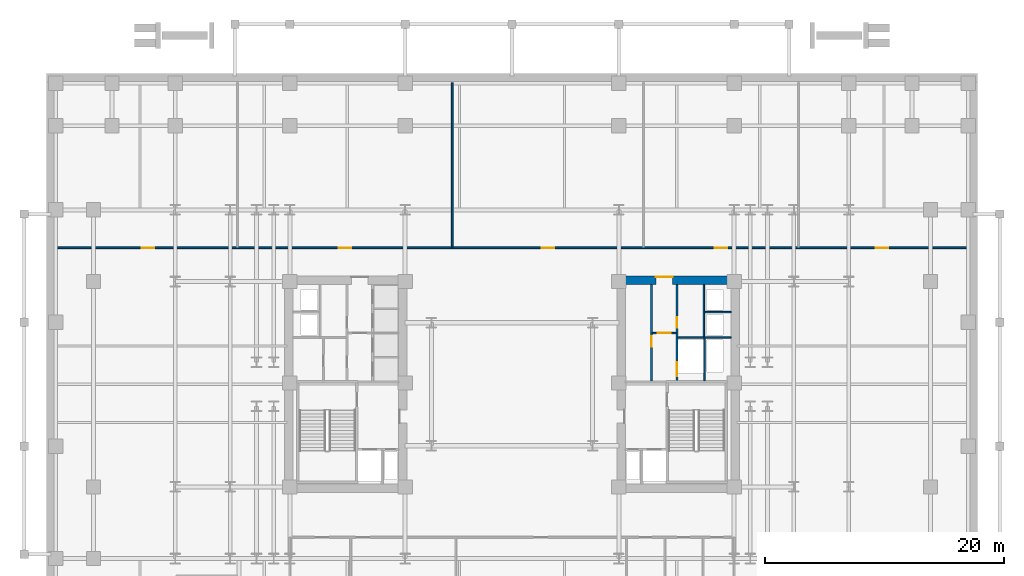
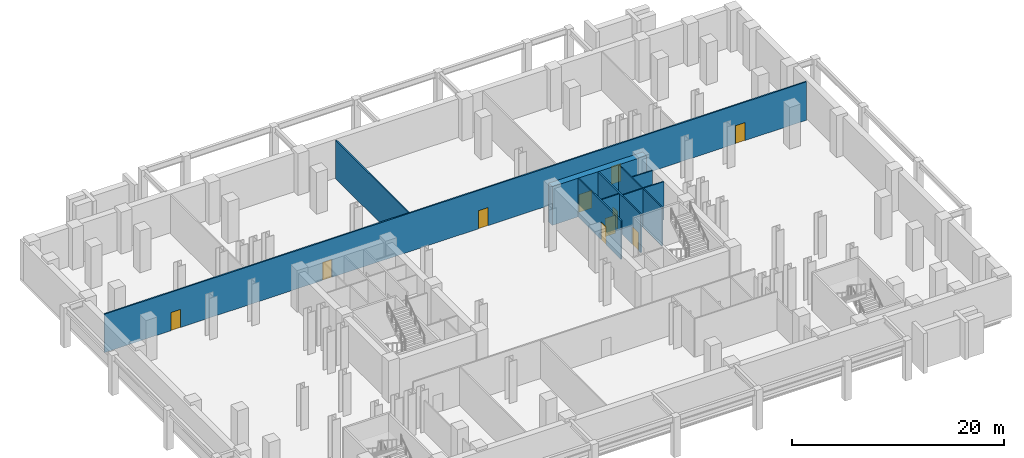
# One storey, part 9 of 13: 10 doors, 10 walls, 10 openings.
"""IFC4 building model written with IfcOpenShell, lengths in metres."""

from ifc_helpers import new_model, si_unit, direction, frame, frame_2d, origin, place, context, subcontext, project, spatial, rectangle, extrude, material, layer, layer_set, type_object, element, fill, save


model = new_model("IFC4")

# Units and contexts
model_context = context("Model", 3, precision=1e-05, world=origin(), true_north=direction((0.0, 1.0)))
body_context = subcontext(model_context, "Body", "Model", "MODEL_VIEW")
ifc_project = project(units=[si_unit("LENGTHUNIT", "METRE"), si_unit("AREAUNIT", "SQUARE_METRE"), si_unit("VOLUMEUNIT", "CUBIC_METRE"), si_unit("PLANEANGLEUNIT", "RADIAN"), si_unit("MASSUNIT", "GRAM", prefix="KILO")], contexts=[model_context])

# Site, building, storey
site_placement = place(None, origin())
site = spatial("IfcSite", under=ifc_project, at=site_placement, CompositionType="ELEMENT")
building_placement = place(site_placement, origin())
building = spatial("IfcBuilding", under=site, at=building_placement, Name="Velakula Bourse", CompositionType="ELEMENT")
storey_placement = place(building_placement, frame((0.0, 0.0, -4.800048828125)))
storey = spatial("IfcBuildingStorey", under=building, at=storey_placement, Name="B01", CompositionType="ELEMENT", Elevation=-4.800048828125)

# Wall, opening, door
ifc_material_1 = material(Name="Concrete M70 (fck 70 MPa)", Category="concrete")
ifc_layer_1 = layer(ifc_material_1, 0.699951171875, Name="Concrete M70 (fck 70 MPa)", Category="concrete")
ifc_layer_set_1 = layer_set([ifc_layer_1], Name="Concrete M70 (fck 70 MPa)")
wall_type_1 = type_object("IfcWallType", Name="WL-CORE-700", PredefinedType="SHEAR", material=ifc_layer_set_1)
wall_1_placement = place(storey_placement, frame((8.800048828125, 8.699951171875, 0.0), z_axis=(0.0, 0.0, 1.0), x_axis=(1.0, 0.0, 0.0)))
wall_1 = element("IfcWall", 1, at=wall_1_placement, inside=storey, type_object=wall_type_1, Name="B01 Core E Shear Wall N", PredefinedType="SHEAR", context=body_context, shape_type="SweptSolid", body=[
    extrude(rectangle(XDim=10.25, YDim=0.699951171875, at=frame_2d((5.125, 0.0))), origin(), (0.0, 0.0, 1.0), 4.449951171875),
])
opening_1_placement = place(wall_1_placement, frame((3.25, 0.0, 0.0)))
opening_1 = element("IfcOpeningElement", 2, at=opening_1_placement, cuts=wall_1, Name="Opening D-LLE", PredefinedType="OPENING", context=body_context, shape_type="SweptSolid", body=[
    extrude(rectangle(XDim=1.39990234375, YDim=2.050048828125, at=frame_2d((0.699951171875, 1.02490234375))), frame((0.0, 0.35986328125, 0.0), z_axis=(0.0, -1.0, 0.0), x_axis=(1.0, 0.0, 0.0)), (0.0, 0.0, 1.0), 0.719970703125),
])
ifc_material_2 = material(Name="Fire-rated hardwood flush architectural door", Category="wood")
door_type_1 = type_object("IfcDoorType", Name="DR-DBL-FD60-1400", OperationType="DOUBLE_DOOR_SINGLE_SWING", PredefinedType="DOOR", material=ifc_material_2)
door_1_placement = place(opening_1_placement, origin())
door_1 = element("IfcDoor", 3, at=door_1_placement, inside=storey, type_object=door_type_1, Name="B01 Core E Lift Lobby Corridor Double Door", OperationType="DOUBLE_DOOR_SINGLE_SWING", OverallHeight=2.050048828125, OverallWidth=1.39990234375, PredefinedType="DOOR", context=body_context, shape_type="SweptSolid", body=[
    extrude(rectangle(XDim=1.39990234375, YDim=2.050048828125, at=frame_2d((0.699951171875, 1.02490234375))), frame((0.0, 0.294921875, 0.0), z_axis=(0.0, -1.0, 0.0), x_axis=(1.0, 0.0, 0.0)), (0.0, 0.0, 1.0), 0.050048828125),
])
fill(opening_1, door_1)

ifc_material_3 = material(Name="Fire-rated double-layer gypsum drywall partition", Category="gypsum")
ifc_layer_2 = layer(ifc_material_3, 0.1201171875, Name="Fire-rated double-layer gypsum drywall partition", Category="gypsum")
ifc_layer_set_2 = layer_set([ifc_layer_2], Name="Fire-rated double-layer gypsum drywall partition")
wall_type_2 = type_object("IfcWallType", Name="WL-PART-120", PredefinedType="STANDARD", material=ifc_layer_set_2)
wall_2_placement = place(storey_placement, frame((11.75, 4.280029296875, 0.0), z_axis=(0.0, 0.0, 1.0), x_axis=(1.0, 0.0, 0.0)))
wall_2 = element("IfcWall", 4, at=wall_2_placement, inside=storey, type_object=wall_type_2, Name="B01 Interior Partition WL-CRE-B01-LL-K2", PredefinedType="STANDARD", context=body_context, shape_type="SweptSolid", body=[
    extrude(rectangle(XDim=2.0, YDim=0.1201171875, at=frame_2d((1.0, 0.0))), origin(), (0.0, 0.0, 1.0), 4.429931640625),
])
opening_2_placement = place(wall_2_placement, frame((0.449951171875, 0.0, 0.0)))
opening_2 = element("IfcOpeningElement", 5, at=opening_2_placement, cuts=wall_2, Name="Opening D-LK2", PredefinedType="OPENING", context=body_context, shape_type="SweptSolid", body=[
    extrude(rectangle(XDim=1.10009765625, YDim=2.10009765625, at=frame_2d((0.550048828125, 1.050048828125))), frame((0.0, 0.070068359375, 0.0), z_axis=(0.0, -1.0, 0.0), x_axis=(1.0, 0.0, 0.0)), (0.0, 0.0, 1.0), 0.14013671875),
])
door_type_2 = type_object("IfcDoorType", Name="DR-FD60-1100x2100", OperationType="NOTDEFINED", PredefinedType="DOOR", material=ifc_material_2)
door_2_placement = place(opening_2_placement, origin())
door_2 = element("IfcDoor", 6, at=door_2_placement, inside=storey, type_object=door_type_2, Name="B01 Core E Lift Lobby Zone Door", OperationType="SINGLE_SWING_LEFT", OverallHeight=2.10009765625, OverallWidth=1.10009765625, PredefinedType="DOOR", context=body_context, shape_type="SweptSolid", body=[
    extrude(rectangle(XDim=1.10009765625, YDim=2.10009765625, at=frame_2d((0.550048828125, 1.050048828125))), frame((0.0, 0.02490234375, 0.0), z_axis=(0.0, -1.0, 0.0), x_axis=(1.0, 0.0, 0.0)), (0.0, 0.0, 1.0), 0.050048828125),
])
fill(opening_2, door_2)

# Walls
wall_3_placement = place(storey_placement, frame((13.89990234375, 3.919921875, 0.0), z_axis=(0.0, 0.0, 1.0), x_axis=(1.0, 0.0, 0.0)))
element("IfcWall", 7, at=wall_3_placement, inside=storey, type_object=wall_type_2, Name="B01 Interior Partition WL-CRE-B01-HI-S", PredefinedType="STANDARD", context=body_context, shape_type="SweptSolid", body=[
    extrude(rectangle(XDim=4.4501953125, YDim=0.1201171875, at=frame_2d((2.22509765625, 0.0))), origin(), (0.0, 0.0, 1.0), 4.429931640625),
])
wall_4_placement = place(storey_placement, frame((16.14990234375, 6.030029296875, 0.0), z_axis=(0.0, 0.0, 1.0), x_axis=(1.0, 0.0, 0.0)))
element("IfcWall", 8, at=wall_4_placement, inside=storey, type_object=wall_type_2, Name="B01 Interior Partition WL-CRE-B01-RIS-MID", PredefinedType="STANDARD", context=body_context, shape_type="SweptSolid", body=[
    extrude(rectangle(XDim=2.2001953125, YDim=0.1201171875, at=frame_2d((1.10009765625, 0.0))), origin(), (0.0, 0.0, 1.0), 4.429931640625),
])
wall_5_placement = place(storey_placement, frame((16.074951171875, 3.97998046875, 0.0), z_axis=(0.0, 0.0, 1.0), x_axis=(0.0, 1.0, 0.0)))
element("IfcWall", 9, at=wall_5_placement, inside=storey, type_object=wall_type_2, Name="B01 Interior Partition WL-CRE-B01-RIS-F", PredefinedType="STANDARD", context=body_context, shape_type="SweptSolid", body=[
    extrude(rectangle(XDim=4.3701171875, YDim=0.1201171875, at=frame_2d((2.18505859375, 0.0))), origin(), (0.0, 0.0, 1.0), 4.429931640625),
])
wall_6_placement = place(storey_placement, frame((16.125, 0.27001953125, 0.0), z_axis=(0.0, 0.0, 1.0), x_axis=(0.0, 1.0, 0.0)))
element("IfcWall", 10, at=wall_6_placement, inside=storey, type_object=wall_type_2, Name="B01 Interior Partition WL-CRE-B01-SVL-E", PredefinedType="STANDARD", context=body_context, shape_type="SweptSolid", body=[
    extrude(rectangle(XDim=3.590087890625, YDim=0.1201171875, at=frame_2d((1.794921875, 0.0))), origin(), (0.0, 0.0, 1.0), 4.429931640625),
])

# Wall, openings, doors
ifc_layer_3 = layer(ifc_material_3, 0.139892578125, Name="Fire-rated double-layer gypsum drywall partition", Category="gypsum")
ifc_layer_set_3 = layer_set([ifc_layer_3], Name="Fire-rated double-layer gypsum drywall partition")
wall_type_3 = type_object("IfcWallType", Name="WL-PART-140", PredefinedType="STANDARD", material=ifc_layer_set_3)
wall_7_placement = place(storey_placement, frame((-38.239990234375, 11.419921875, 0.0), z_axis=(0.0, 0.0, 1.0), x_axis=(1.0, 0.0, 0.0)))
wall_7 = element("IfcWall", 11, at=wall_7_placement, inside=storey, type_object=wall_type_3, Name="B01 Interior Partition WL-POD-B01-N-CORR", PredefinedType="STANDARD", context=body_context, shape_type="SweptSolid", body=[
    extrude(rectangle(XDim=76.47998046875, YDim=0.14990234375, at=frame_2d((38.239990234375, 0.0))), origin(), (0.0, 0.0, 1.0), 4.429931640625),
])
opening_3_placement = place(wall_7_placement, frame((7.216064453125, 0.0, 0.0)))
opening_3 = element("IfcOpeningElement", 12, at=opening_3_placement, cuts=wall_7, Name="Opening D-PD1", PredefinedType="OPENING", context=body_context, shape_type="SweptSolid", body=[
    extrude(rectangle(XDim=1.050048828125, YDim=2.080078125, at=frame_2d((0.52490234375, 1.0400390625))), frame((0.0, 0.0849609375, 0.0), z_axis=(0.0, -1.0, 0.0), x_axis=(1.0, 0.0, 0.0)), (0.0, 0.0, 1.0), 0.169921875),
])
opening_4_placement = place(wall_7_placement, frame((23.715087890625, 0.0, 0.0)))
opening_4 = element("IfcOpeningElement", 13, at=opening_4_placement, cuts=wall_7, Name="Opening D-PD1", PredefinedType="OPENING", context=body_context, shape_type="SweptSolid", body=[
    extrude(rectangle(XDim=1.050048828125, YDim=2.080078125, at=frame_2d((0.52490234375, 1.0400390625))), frame((0.0, 0.0849609375, 0.0), z_axis=(0.0, -1.0, 0.0), x_axis=(1.0, 0.0, 0.0)), (0.0, 0.0, 1.0), 0.169921875),
])
opening_5_placement = place(wall_7_placement, frame((40.715087890625, 0.0, 0.0)))
opening_5 = element("IfcOpeningElement", 14, at=opening_5_placement, cuts=wall_7, Name="Opening D-PD1", PredefinedType="OPENING", context=body_context, shape_type="SweptSolid", body=[
    extrude(rectangle(XDim=1.050048828125, YDim=2.080078125, at=frame_2d((0.52490234375, 1.0400390625))), frame((0.0, 0.0849609375, 0.0), z_axis=(0.0, -1.0, 0.0), x_axis=(1.0, 0.0, 0.0)), (0.0, 0.0, 1.0), 0.169921875),
])
opening_6_placement = place(wall_7_placement, frame((55.215087890625, 0.0, 0.0)))
opening_6 = element("IfcOpeningElement", 15, at=opening_6_placement, cuts=wall_7, Name="Opening D-PD1", PredefinedType="OPENING", context=body_context, shape_type="SweptSolid", body=[
    extrude(rectangle(XDim=1.050048828125, YDim=2.080078125, at=frame_2d((0.52490234375, 1.0400390625))), frame((0.0, 0.0849609375, 0.0), z_axis=(0.0, -1.0, 0.0), x_axis=(1.0, 0.0, 0.0)), (0.0, 0.0, 1.0), 0.169921875),
])
opening_7_placement = place(wall_7_placement, frame((68.714111328125, 0.0, 0.0)))
opening_7 = element("IfcOpeningElement", 16, at=opening_7_placement, cuts=wall_7, Name="Opening D-PD1", PredefinedType="OPENING", context=body_context, shape_type="SweptSolid", body=[
    extrude(rectangle(XDim=1.050048828125, YDim=2.080078125, at=frame_2d((0.52490234375, 1.0400390625))), frame((0.0, 0.0849609375, 0.0), z_axis=(0.0, -1.0, 0.0), x_axis=(1.0, 0.0, 0.0)), (0.0, 0.0, 1.0), 0.169921875),
])
door_type_3 = type_object("IfcDoorType", Name="DR-OFF-1050", OperationType="NOTDEFINED", PredefinedType="DOOR", material=ifc_material_2)
door_3_placement = place(opening_3_placement, origin())
door_3 = element("IfcDoor", 17, at=door_3_placement, inside=storey, type_object=door_type_3, Name="B01 Metro Paid Ticketing Concourse Door", OperationType="SINGLE_SWING_LEFT", OverallHeight=2.080078125, OverallWidth=1.050048828125, PredefinedType="DOOR", context=body_context, shape_type="SweptSolid", body=[
    extrude(rectangle(XDim=1.050048828125, YDim=2.080078125, at=frame_2d((0.52490234375, 1.0400390625))), frame((0.0, 0.02490234375, 0.0), z_axis=(0.0, -1.0, 0.0), x_axis=(1.0, 0.0, 0.0)), (0.0, 0.0, 1.0), 0.050048828125),
])
fill(opening_3, door_3)
door_4_placement = place(opening_4_placement, origin())
door_4 = element("IfcDoor", 18, at=door_4_placement, inside=storey, type_object=door_type_3, Name="B01 Station Operations Control Room Door", OperationType="SINGLE_SWING_RIGHT", OverallHeight=2.080078125, OverallWidth=1.050048828125, PredefinedType="DOOR", context=body_context, shape_type="SweptSolid", body=[
    extrude(rectangle(XDim=1.050048828125, YDim=2.080078125, at=frame_2d((0.52490234375, 1.0400390625))), frame((0.0, 0.02490234375, 0.0), z_axis=(0.0, -1.0, 0.0), x_axis=(1.0, 0.0, 0.0)), (0.0, 0.0, 1.0), 0.050048828125),
])
fill(opening_4, door_4)
door_5_placement = place(opening_5_placement, origin())
door_5 = element("IfcDoor", 19, at=door_5_placement, inside=storey, type_object=door_type_3, Name="B01 Bullion Depository Vault Door", OperationType="SINGLE_SWING_LEFT", OverallHeight=2.080078125, OverallWidth=1.050048828125, PredefinedType="DOOR", context=body_context, shape_type="SweptSolid", body=[
    extrude(rectangle(XDim=1.050048828125, YDim=2.080078125, at=frame_2d((0.52490234375, 1.0400390625))), frame((0.0, 0.02490234375, 0.0), z_axis=(0.0, -1.0, 0.0), x_axis=(1.0, 0.0, 0.0)), (0.0, 0.0, 1.0), 0.050048828125),
])
fill(opening_5, door_5)
door_6_placement = place(opening_6_placement, origin())
door_6 = element("IfcDoor", 20, at=door_6_placement, inside=storey, type_object=door_type_3, Name="B01 Vault Security Pantry Door", OperationType="SINGLE_SWING_RIGHT", OverallHeight=2.080078125, OverallWidth=1.050048828125, PredefinedType="DOOR", context=body_context, shape_type="SweptSolid", body=[
    extrude(rectangle(XDim=1.050048828125, YDim=2.080078125, at=frame_2d((0.52490234375, 1.0400390625))), frame((0.0, 0.02490234375, 0.0), z_axis=(0.0, -1.0, 0.0), x_axis=(1.0, 0.0, 0.0)), (0.0, 0.0, 1.0), 0.050048828125),
])
fill(opening_6, door_6)
door_7_placement = place(opening_7_placement, origin())
door_7 = element("IfcDoor", 21, at=door_7_placement, inside=storey, type_object=door_type_3, Name="B01 Transit Records Office Door", OperationType="SINGLE_SWING_LEFT", OverallHeight=2.080078125, OverallWidth=1.050048828125, PredefinedType="DOOR", context=body_context, shape_type="SweptSolid", body=[
    extrude(rectangle(XDim=1.050048828125, YDim=2.080078125, at=frame_2d((0.52490234375, 1.0400390625))), frame((0.0, 0.02490234375, 0.0), z_axis=(0.0, -1.0, 0.0), x_axis=(1.0, 0.0, 0.0)), (0.0, 0.0, 1.0), 0.050048828125),
])
fill(opening_7, door_7)

# Wall
wall_8_placement = place(storey_placement, frame((-5.0, 11.489990234375, 0.0), z_axis=(0.0, 0.0, 1.0), x_axis=(0.0, 1.0, 0.0)))
element("IfcWall", 22, at=wall_8_placement, inside=storey, type_object=wall_type_3, Name="B01 Interior Partition WL-POD-B01-ND2", PredefinedType="STANDARD", context=body_context, shape_type="SweptSolid", body=[
    extrude(rectangle(XDim=13.75, YDim=0.139892578125, at=frame_2d((6.875, 0.0))), origin(), (0.0, 0.0, 1.0), 4.429931640625),
])

# Wall, opening, door
ifc_material_4 = material(Name="Autoclaved aerated concrete blockwork masonry", Category="masonry")
ifc_layer_4 = layer(ifc_material_4, 0.14990234375, Name="Autoclaved aerated concrete blockwork masonry", Category="masonry")
ifc_layer_set_4 = layer_set([ifc_layer_4], Name="Autoclaved aerated concrete blockwork masonry")
wall_type_4 = type_object("IfcWallType", Name="WL-SHAFT-150", PredefinedType="STANDARD", material=ifc_layer_set_4)
wall_9_placement = place(storey_placement, frame((11.675048828125, 0.27001953125, 0.0), z_axis=(0.0, 0.0, 1.0), x_axis=(0.0, 1.0, 0.0)))
wall_9 = element("IfcWall", 23, at=wall_9_placement, inside=storey, type_object=wall_type_4, Name="B01 Interior Partition WL-CRE-B01-BANK-F", PredefinedType="STANDARD", context=body_context, shape_type="SweptSolid", body=[
    extrude(rectangle(XDim=8.080078125, YDim=0.14990234375, at=frame_2d((4.0400390625, 0.0))), origin(), (0.0, 0.0, 1.0), 4.429931640625),
])
opening_8_placement = place(wall_9_placement, frame((2.85009765625, 0.0, 0.0)))
opening_8 = element("IfcOpeningElement", 24, at=opening_8_placement, cuts=wall_9, Name="Opening D-CR1", PredefinedType="OPENING", context=body_context, shape_type="SweptSolid", body=[
    extrude(rectangle(XDim=0.89990234375, YDim=2.050048828125, at=frame_2d((0.449951171875, 1.02490234375))), frame((0.0, 0.0849609375, 0.0), z_axis=(0.0, -1.0, 0.0), x_axis=(1.0, 0.0, 0.0)), (0.0, 0.0, 1.0), 0.169921875),
])
door_type_4 = type_object("IfcDoorType", Name="DR-FD60-900", OperationType="NOTDEFINED", PredefinedType="DOOR", material=ifc_material_2)
door_8_placement = place(opening_8_placement, origin())
door_8 = element("IfcDoor", 25, at=door_8_placement, inside=storey, type_object=door_type_4, Name="B01 Core East Buffer Room Door", OperationType="SINGLE_SWING_RIGHT", OverallHeight=2.050048828125, OverallWidth=0.89990234375, PredefinedType="DOOR", context=body_context, shape_type="SweptSolid", body=[
    extrude(rectangle(XDim=0.89990234375, YDim=2.050048828125, at=frame_2d((0.449951171875, 1.02490234375))), frame((0.0, 0.02490234375, 0.0), z_axis=(0.0, -1.0, 0.0), x_axis=(1.0, 0.0, 0.0)), (0.0, 0.0, 1.0), 0.050048828125),
])
fill(opening_8, door_8)

# Wall, openings, doors
wall_10_placement = place(storey_placement, frame((13.824951171875, 0.27001953125, 0.0), z_axis=(0.0, 0.0, 1.0), x_axis=(0.0, 1.0, 0.0)))
wall_10 = element("IfcWall", 26, at=wall_10_placement, inside=storey, type_object=wall_type_4, Name="B01 Interior Partition WL-CRE-B01-OUT-F", PredefinedType="STANDARD", context=body_context, shape_type="SweptSolid", body=[
    extrude(rectangle(XDim=8.080078125, YDim=0.14990234375, at=frame_2d((4.0400390625, 0.0))), origin(), (0.0, 0.0, 1.0), 4.429931640625),
])
opening_9_placement = place(wall_10_placement, frame((4.449951171875, 0.0, 0.0)))
opening_9 = element("IfcOpeningElement", 27, at=opening_9_placement, cuts=wall_10, Name="Opening D-CR2", PredefinedType="OPENING", context=body_context, shape_type="SweptSolid", body=[
    extrude(rectangle(XDim=0.89990234375, YDim=2.050048828125, at=frame_2d((0.449951171875, 1.02490234375))), frame((0.0, 0.0849609375, 0.0), z_axis=(0.0, -1.0, 0.0), x_axis=(1.0, 0.0, 0.0)), (0.0, 0.0, 1.0), 0.169921875),
])
opening_10_placement = place(wall_10_placement, frame((0.3798828125, 0.0, 0.0)))
opening_10 = element("IfcOpeningElement", 28, at=opening_10_placement, cuts=wall_10, Name="Opening LD-SVL1", PredefinedType="OPENING", context=body_context, shape_type="SweptSolid", body=[
    extrude(rectangle(XDim=1.199951171875, YDim=2.10009765625, at=frame_2d((0.60009765625, 1.050048828125))), frame((0.0, 0.0849609375, 0.0), z_axis=(0.0, -1.0, 0.0), x_axis=(1.0, 0.0, 0.0)), (0.0, 0.0, 1.0), 0.169921875),
])
door_9_placement = place(opening_9_placement, origin())
door_9 = element("IfcDoor", 29, at=door_9_placement, inside=storey, type_object=door_type_4, Name="B01 High-Rise Buffer Room Door", OperationType="SINGLE_SWING_LEFT", OverallHeight=2.050048828125, OverallWidth=0.89990234375, PredefinedType="DOOR", context=body_context, shape_type="SweptSolid", body=[
    extrude(rectangle(XDim=0.89990234375, YDim=2.050048828125, at=frame_2d((0.449951171875, 1.02490234375))), frame((0.0, 0.02490234375, 0.0), z_axis=(0.0, -1.0, 0.0), x_axis=(1.0, 0.0, 0.0)), (0.0, 0.0, 1.0), 0.050048828125),
])
fill(opening_9, door_9)
ifc_material_5 = material(Name="Brushed grade 316 stainless steel", Category="steel")
door_type_5 = type_object("IfcDoorType", Name="DR-SLIDE-LD-1200", OperationType="DOUBLE_DOOR_SLIDING", PredefinedType="DOOR", material=ifc_material_5)
door_10_placement = place(opening_10_placement, origin())
door_10 = element("IfcDoor", 30, at=door_10_placement, inside=storey, type_object=door_type_5, Name="B01 Service Lift SVL-1 Sliding Landing Door", OperationType="DOUBLE_DOOR_SLIDING", OverallHeight=2.10009765625, OverallWidth=1.199951171875, PredefinedType="DOOR", context=body_context, shape_type="SweptSolid", body=[
    extrude(rectangle(XDim=1.199951171875, YDim=2.10009765625, at=frame_2d((0.60009765625, 1.050048828125))), frame((0.0, 0.02490234375, 0.0), z_axis=(0.0, -1.0, 0.0), x_axis=(1.0, 0.0, 0.0)), (0.0, 0.0, 1.0), 0.050048828125),
])
fill(opening_10, door_10)

save(model, "model.ifc")
